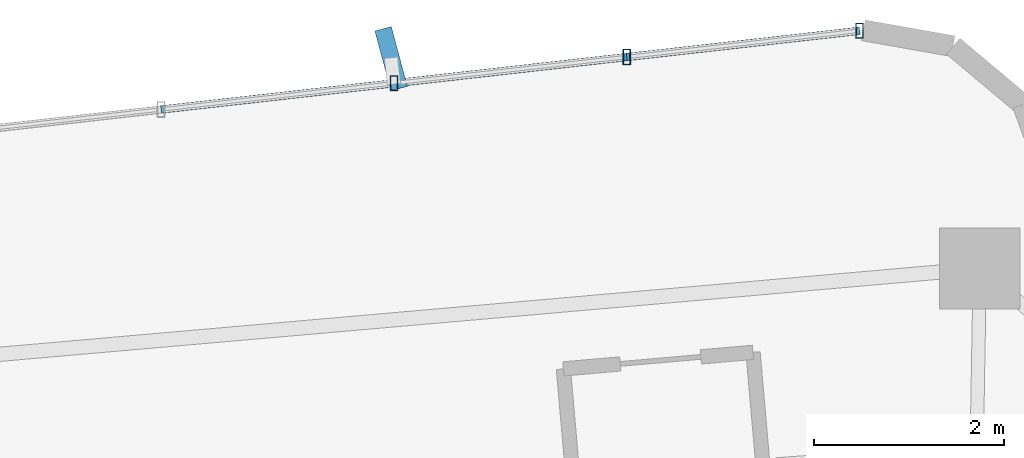
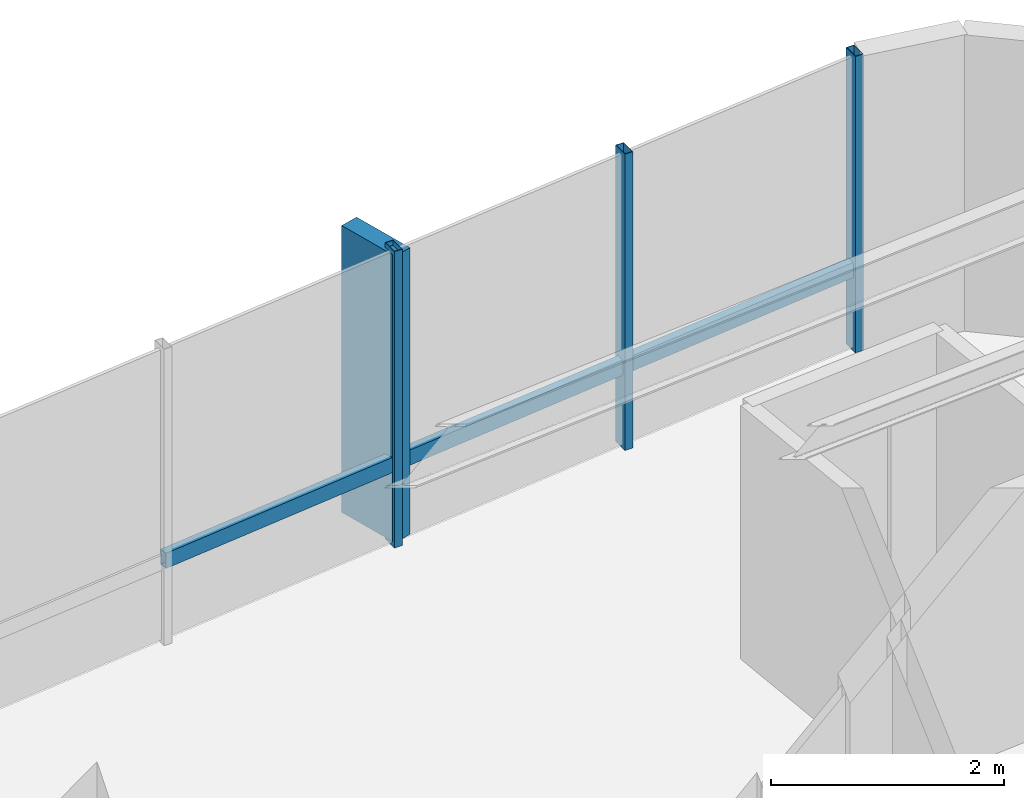
# One storey, part 18 of 24: 7 members, 1 element without a shape of its own.
"""IFC4 building model written with IfcOpenShell, lengths in metres."""

from ifc_helpers import new_model, si_unit, direction, frame, origin, origin_2d, place, context, subcontext, project, spatial, rectangle, hollow_rectangle, extrude, source, transform, mapped, material, material_profile, profile_set, type_object, element, aggregate, save


model = new_model("IFC4")

# Units and contexts
model_context = context("Model", 3, precision=1e-05, world=origin(), true_north=direction((0.0, 1.0)))
body_context = subcontext(model_context, "Body", "Model", "MODEL_VIEW")
ifc_project = project(units=[si_unit("LENGTHUNIT", "METRE"), si_unit("AREAUNIT", "SQUARE_METRE"), si_unit("VOLUMEUNIT", "CUBIC_METRE"), si_unit("PLANEANGLEUNIT", "RADIAN"), si_unit("MASSUNIT", "GRAM", prefix="KILO")], contexts=[model_context])

# Site, building, storey
site_placement = place(None, origin())
site = spatial("IfcSite", under=ifc_project, at=site_placement, CompositionType="ELEMENT")
building_placement = place(site_placement, origin())
building = spatial("IfcBuilding", under=site, at=building_placement, Name="Sahyath Konkavel Grand Hotel", CompositionType="ELEMENT")
storey_placement = place(building_placement, frame((0.0, 0.0, 153.949951171875)))
storey = spatial("IfcBuildingStorey", under=building, at=storey_placement, Name="L42", CompositionType="ELEMENT", Elevation=153.949951171875)

# Curtain wall, members
ifc_material_1 = material(Name="Anodised Bronze Aluminium & Low-E Glazing", Category="aluminium")
curtain_wall_type = type_object("IfcCurtainWallType", Name="CW-ZONE3", PredefinedType="NOTDEFINED", material=ifc_material_1)
curtain_wall_placement = place(storey_placement, origin())
curtain_wall = element("IfcCurtainWall", 1, at=curtain_wall_placement, inside=storey, type_object=curtain_wall_type, Name="L42 Unitised Curtain Wall F12", PredefinedType="NOTDEFINED")
ifc_material_2 = material(Name="Warm Buff Sandstone Cladding on Concrete C50/60", Category="masonry")
ifc_material_profile_1 = material_profile(ifc_material_2, rectangle(XDim=0.179931640625, YDim=0.64990234375, at=origin_2d()), Name="FIN 180x650")
ifc_profile_set_1 = profile_set([ifc_material_profile_1], Name="Warm Buff Sandstone Cladding on Concrete C50/60")
member_type_1 = type_object("IfcMemberType", Name="FIN-SANDSTONE-650", PredefinedType="MULLION", material=ifc_profile_set_1)
shared_shape_1 = source(origin(), body_context, "Body", "SweptSolid", [
    extrude(rectangle(XDim=0.179931640625, YDim=0.64990234375, at=origin_2d()), origin(), (0.0, 0.0, 1.0), 3.010009765625),
])
member_1_placement = place(storey_placement, frame((-2.248291015625, 20.3173828125, 0.050048828125), z_axis=(0.0, 0.0, 1.0), x_axis=(0.965744901133, 0.259493325415, 0.0)))
member_1 = element("IfcMember", 2, at=member_1_placement, type_object=member_type_1, Name="L42 Sandstone Vertical Solar Fin FIN F12-2", PredefinedType="MULLION", context=body_context, shape_type="MappedRepresentation", body=[
    mapped(shared_shape_1, transform((0.0, 0.0, 0.0), scale=1.0)),
])
ifc_material_3 = material(Name="Anodised Bronze Aluminium", Category="aluminium")
ifc_material_profile_2 = material_profile(ifc_material_3, hollow_rectangle(XDim=0.080078125, YDim=0.159912109375, WallThickness=0.006103515625, at=origin_2d()), Name="RHS 160x80x6")
ifc_profile_set_2 = profile_set([ifc_material_profile_2], Name="Anodised Bronze Aluminium")
member_type_2 = type_object("IfcMemberType", Name="CW-MUL-160", PredefinedType="MULLION", material=ifc_profile_set_2)
shared_shape_2 = source(origin(), body_context, "Body", "SweptSolid", [
    extrude(hollow_rectangle(XDim=0.080078125, YDim=0.159912109375, WallThickness=0.006103515625, at=origin_2d()), origin(), (0.0, 0.0, 1.0), 3.110107421875),
])
member_2_placement = place(storey_placement, frame((2.673828125, 20.610595703125, 0.0), z_axis=(0.0, 0.0, 1.0), x_axis=(1.0, 0.0, 0.0)))
member_2 = element("IfcMember", 3, at=member_2_placement, type_object=member_type_2, Name="L42 Curtain Wall Mullion F12-0", PredefinedType="MULLION", context=body_context, shape_type="MappedRepresentation", body=[
    mapped(shared_shape_2, transform((0.0, 0.0, 0.0), scale=1.0)),
])
member_3_placement = place(storey_placement, frame((0.227294921875, 20.334716796875, 0.0), z_axis=(0.0, 0.0, 1.0), x_axis=(1.0, 0.0, 0.0)))
member_3 = element("IfcMember", 4, at=member_3_placement, type_object=member_type_2, Name="L42 Curtain Wall Mullion F12-1", PredefinedType="MULLION", context=body_context, shape_type="MappedRepresentation", body=[
    mapped(shared_shape_2, transform((0.0, 0.0, 0.0), scale=1.0)),
])
member_4_placement = place(storey_placement, frame((-2.21923828125, 20.05908203125, 0.0), z_axis=(0.0, 0.0, 1.0), x_axis=(1.0, 0.0, 0.0)))
member_4 = element("IfcMember", 5, at=member_4_placement, type_object=member_type_2, Name="L42 Curtain Wall Mullion F12-2", PredefinedType="MULLION", context=body_context, shape_type="MappedRepresentation", body=[
    mapped(shared_shape_2, transform((0.0, 0.0, 0.0), scale=1.0)),
])
ifc_material_profile_3 = material_profile(ifc_material_3, hollow_rectangle(XDim=0.080078125, YDim=0.159912109375, WallThickness=0.006103515625, at=origin_2d()), Name="RHS 160x80x6")
ifc_profile_set_3 = profile_set([ifc_material_profile_3], Name="Anodised Bronze Aluminium")
member_type_3 = type_object("IfcMemberType", Name="CW-TRN-160", PredefinedType="USERDEFINED", material=ifc_profile_set_3)
shared_shape_3 = source(origin(), body_context, "Body", "SweptSolid", [
    extrude(hollow_rectangle(XDim=0.080078125, YDim=0.159912109375, WallThickness=0.006103515625, at=origin_2d()), origin(), (0.0, 0.0, 1.0), 2.462158203125),
])
member_5_placement = place(storey_placement, frame((2.673828125, 20.610595703125, 0.85009765625), z_axis=(-0.99370222711, -0.112053040279, 0.0), x_axis=(0.112053040279, -0.99370222711, 0.0)))
member_5 = element("IfcMember", 6, at=member_5_placement, type_object=member_type_3, Name="L42 Curtain Wall Transom F12-0-spandrel", ObjectType="TRANSOM", PredefinedType="USERDEFINED", context=body_context, shape_type="MappedRepresentation", body=[
    mapped(shared_shape_3, transform((0.0, 0.0, 0.0), scale=1.0)),
])
member_6_placement = place(storey_placement, frame((-2.21923828125, 20.05908203125, 0.85009765625), z_axis=(-0.99370222711, -0.112053040279, 0.0), x_axis=(0.112053040279, -0.99370222711, 0.0)))
member_6 = element("IfcMember", 7, at=member_6_placement, type_object=member_type_3, Name="L42 Curtain Wall Transom F12-2-spandrel", ObjectType="TRANSOM", PredefinedType="USERDEFINED", context=body_context, shape_type="MappedRepresentation", body=[
    mapped(shared_shape_3, transform((0.0, 0.0, 0.0), scale=1.0)),
])
shared_shape_4 = source(origin(), body_context, "Body", "SweptSolid", [
    extrude(hollow_rectangle(XDim=0.080078125, YDim=0.159912109375, WallThickness=0.006103515625, at=origin_2d()), origin(), (0.0, 0.0, 1.0), 2.4619140625),
])
member_7_placement = place(storey_placement, frame((0.227294921875, 20.334716796875, 0.85009765625), z_axis=(-0.993713263833, -0.111955121731, 0.0), x_axis=(0.111955121731, -0.993713263833, 0.0)))
member_7 = element("IfcMember", 8, at=member_7_placement, type_object=member_type_3, Name="L42 Curtain Wall Transom F12-1-spandrel", ObjectType="TRANSOM", PredefinedType="USERDEFINED", context=body_context, shape_type="MappedRepresentation", body=[
    mapped(shared_shape_4, transform((0.0, 0.0, 0.0), scale=1.0)),
])
aggregate(curtain_wall, [member_2, member_3, member_4, member_1, member_5, member_7, member_6])

save(model, "model.ifc")
